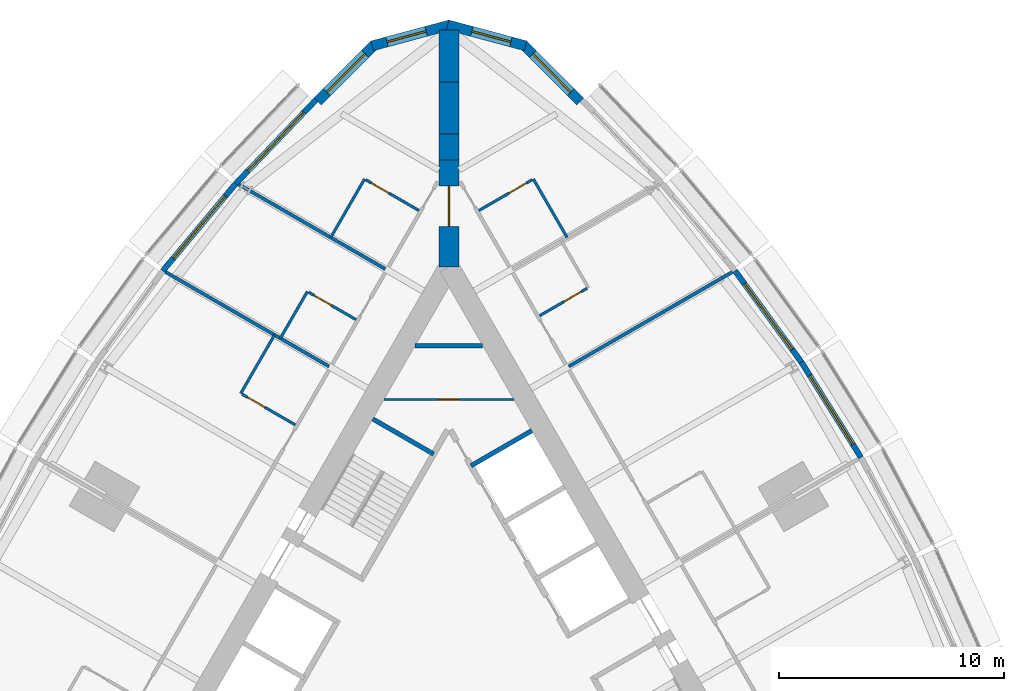
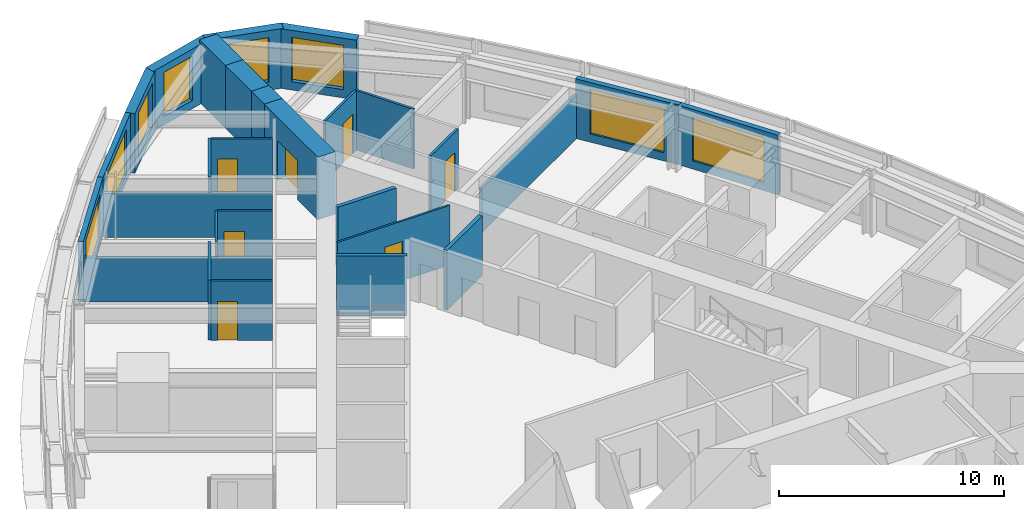
# One storey, part 12 of 14: 28 walls, 8 windows, 7 doors, 15 openings.
"""IFC4 building model written with IfcOpenShell, lengths in metres."""

from ifc_helpers import new_model, si_unit, direction, frame, frame_2d, origin, place, context, subcontext, project, spatial, polyline, rectangle, outline, extrude, material, layer, layer_set, type_object, element, fill, save


model = new_model("IFC4")

# Units and contexts
model_context = context("Model", 3, precision=1e-05, world=origin(), true_north=direction((0.0, 1.0)))
body_context = subcontext(model_context, "Body", "Model", "MODEL_VIEW")
ifc_project = project(units=[si_unit("LENGTHUNIT", "METRE"), si_unit("AREAUNIT", "SQUARE_METRE"), si_unit("VOLUMEUNIT", "CUBIC_METRE"), si_unit("PLANEANGLEUNIT", "RADIAN"), si_unit("MASSUNIT", "GRAM", prefix="KILO")], contexts=[model_context])

# Site, building, storey
site_placement = place(None, origin())
site = spatial("IfcSite", under=ifc_project, at=site_placement, CompositionType="ELEMENT")
building_placement = place(site_placement, origin())
building = spatial("IfcBuilding", under=site, at=building_placement, Name="Trikona Tower", CompositionType="ELEMENT")
storey_placement = place(building_placement, frame((0.0, 0.0, 158.89990234375)))
storey = spatial("IfcBuildingStorey", under=building, at=storey_placement, Name="L42", CompositionType="ELEMENT", Elevation=158.89990234375)

# Wall, opening, door
ifc_material_1 = material(Name="Metal stud and cement board", Category="gypsum")
ifc_layer_1 = layer(ifc_material_1, 0.1201171875)
ifc_layer_set_1 = layer_set([ifc_layer_1], Name="Bathroom wall 120")
wall_type_1 = type_object("IfcWallType", Name="Bathroom wall 120", PredefinedType="PLUMBINGWALL", material=ifc_layer_set_1)
wall_1_placement = place(storey_placement, frame((4.028564453125, 16.875, 0.0), z_axis=(0.0, 0.0, 1.0), x_axis=(0.865980627057, 0.500077547548, 0.0)))
wall_1 = element("IfcWall", 1, at=wall_1_placement, inside=storey, type_object=wall_type_1, Name="Bathroom wall 4208", PredefinedType="PLUMBINGWALL", context=body_context, shape_type="SweptSolid", body=[
    extrude(rectangle(XDim=2.43994140625, YDim=0.1201171875, at=frame_2d((1.219970703125, 0.0))), origin(), (0.0, 0.0, 1.0), 3.235107421875),
])
opening_1_placement = place(wall_1_placement, frame((1.25, 0.0, 0.0)))
opening_1 = element("IfcOpeningElement", 2, at=opening_1_placement, cuts=wall_1, Name="Opening D2", PredefinedType="OPENING", context=body_context, shape_type="SweptSolid", body=[
    extrude(rectangle(XDim=0.89990234375, YDim=2.1298828125, at=frame_2d((0.449951171875, 1.06494140625))), frame((0.0, 0.070068359375, 0.0), z_axis=(0.0, -1.0, 0.0), x_axis=(1.0, 0.0, 0.0)), (0.0, 0.0, 1.0), 0.14013671875),
])
ifc_material_2 = material(Name="Steel door frame with solid-core timber leaf", Category="steel")
door_type_1 = type_object("IfcDoorType", Name="Bathroom door 900x2130", OperationType="SLIDING_TO_LEFT", PredefinedType="DOOR", material=ifc_material_2)
door_1_placement = place(opening_1_placement, origin())
door_1 = element("IfcDoor", 3, at=door_1_placement, inside=storey, type_object=door_type_1, Name="Bathroom door 4208", OperationType="SLIDING_TO_LEFT", OverallHeight=2.1298828125, OverallWidth=0.89990234375, PredefinedType="DOOR", context=body_context, shape_type="SweptSolid", body=[
    extrude(rectangle(XDim=0.89990234375, YDim=2.1298828125, at=frame_2d((0.449951171875, 1.06494140625))), frame((0.0, 0.02490234375, 0.0), z_axis=(0.0, -1.0, 0.0), x_axis=(1.0, 0.0, 0.0)), (0.0, 0.0, 1.0), 0.050048828125),
])
fill(opening_1, door_1)

# Wall
wall_2_placement = place(storey_placement, frame((5.25341796875, 20.353515625, 0.0), z_axis=(0.0, 0.0, 1.0), x_axis=(-0.499990139034, 0.866031096941, 0.0)))
element("IfcWall", 4, at=wall_2_placement, inside=storey, type_object=wall_type_1, Name="Bathroom wall 4209", PredefinedType="PLUMBINGWALL", context=body_context, shape_type="SweptSolid", body=[
    extrude(rectangle(XDim=3.0, YDim=0.1201171875, at=frame_2d((1.5, 0.0))), origin(), (0.0, 0.0, 1.0), 3.235107421875),
])

# Wall, opening, door
wall_3_placement = place(storey_placement, frame((1.32861328125, 21.551513671875, 0.0), z_axis=(0.0, 0.0, 1.0), x_axis=(0.865997131366, 0.500048966069, 0.0)))
wall_3 = element("IfcWall", 5, at=wall_3_placement, inside=storey, type_object=wall_type_1, Name="Bathroom wall 4209", PredefinedType="PLUMBINGWALL", context=body_context, shape_type="SweptSolid", body=[
    extrude(rectangle(XDim=2.739990234375, YDim=0.1201171875, at=frame_2d((1.3701171875, 0.0))), origin(), (0.0, 0.0, 1.0), 3.235107421875),
])
opening_2_placement = place(wall_3_placement, frame((1.550048828125, 0.0, 0.0)))
opening_2 = element("IfcOpeningElement", 6, at=opening_2_placement, cuts=wall_3, Name="Opening D2", PredefinedType="OPENING", context=body_context, shape_type="SweptSolid", body=[
    extrude(rectangle(XDim=0.89990234375, YDim=2.1298828125, at=frame_2d((0.449951171875, 1.06494140625))), frame((0.0, 0.070068359375, 0.0), z_axis=(0.0, -1.0, 0.0), x_axis=(1.0, 0.0, 0.0)), (0.0, 0.0, 1.0), 0.14013671875),
])
door_2_placement = place(opening_2_placement, origin())
door_2 = element("IfcDoor", 7, at=door_2_placement, inside=storey, type_object=door_type_1, Name="Bathroom door 4209", OperationType="SLIDING_TO_LEFT", OverallHeight=2.1298828125, OverallWidth=0.89990234375, PredefinedType="DOOR", context=body_context, shape_type="SweptSolid", body=[
    extrude(rectangle(XDim=0.89990234375, YDim=2.1298828125, at=frame_2d((0.449951171875, 1.06494140625))), frame((0.0, 0.02490234375, 0.0), z_axis=(0.0, -1.0, 0.0), x_axis=(1.0, 0.0, 0.0)), (0.0, 0.0, 1.0), 0.050048828125),
])
fill(opening_2, door_2)

# Wall
wall_4_placement = place(storey_placement, frame((-3.75341796875, 22.95166015625, 0.0), z_axis=(0.0, 0.0, 1.0), x_axis=(-0.499990139034, -0.866031096941, 0.0)))
element("IfcWall", 8, at=wall_4_placement, inside=storey, type_object=wall_type_1, Name="Bathroom wall 4210", PredefinedType="PLUMBINGWALL", context=body_context, shape_type="SweptSolid", body=[
    extrude(rectangle(XDim=3.0, YDim=0.1201171875, at=frame_2d((1.5, 0.0))), origin(), (0.0, 0.0, 1.0), 3.235107421875),
])

# Wall, opening, door
wall_5_placement = place(storey_placement, frame((-1.32861328125, 21.551513671875, 0.0), z_axis=(0.0, 0.0, 1.0), x_axis=(-0.865997131366, 0.500048966069, 0.0)))
wall_5 = element("IfcWall", 9, at=wall_5_placement, inside=storey, type_object=wall_type_1, Name="Bathroom wall 4210", PredefinedType="PLUMBINGWALL", context=body_context, shape_type="SweptSolid", body=[
    extrude(rectangle(XDim=2.739990234375, YDim=0.1201171875, at=frame_2d((1.3701171875, 0.0))), origin(), (0.0, 0.0, 1.0), 3.235107421875),
])
opening_3_placement = place(wall_5_placement, frame((1.550048828125, 0.0, 0.0)))
opening_3 = element("IfcOpeningElement", 10, at=opening_3_placement, cuts=wall_5, Name="Opening D2", PredefinedType="OPENING", context=body_context, shape_type="SweptSolid", body=[
    extrude(rectangle(XDim=0.89990234375, YDim=2.1298828125, at=frame_2d((0.449951171875, 1.06494140625))), frame((0.0, 0.070068359375, 0.0), z_axis=(0.0, -1.0, 0.0), x_axis=(1.0, 0.0, 0.0)), (0.0, 0.0, 1.0), 0.14013671875),
])
door_3_placement = place(opening_3_placement, origin())
door_3 = element("IfcDoor", 11, at=door_3_placement, inside=storey, type_object=door_type_1, Name="Bathroom door 4210", OperationType="SLIDING_TO_LEFT", OverallHeight=2.1298828125, OverallWidth=0.89990234375, PredefinedType="DOOR", context=body_context, shape_type="SweptSolid", body=[
    extrude(rectangle(XDim=0.89990234375, YDim=2.1298828125, at=frame_2d((0.449951171875, 1.06494140625))), frame((0.0, 0.02490234375, 0.0), z_axis=(0.0, -1.0, 0.0), x_axis=(1.0, 0.0, 0.0)), (0.0, 0.0, 1.0), 0.050048828125),
])
fill(opening_3, door_3)

# Wall
wall_6_placement = place(storey_placement, frame((-6.29345703125, 17.951904296875, 0.0), z_axis=(0.0, 0.0, 1.0), x_axis=(-0.499957262057, -0.866050077142, 0.0)))
element("IfcWall", 12, at=wall_6_placement, inside=storey, type_object=wall_type_1, Name="Bathroom wall 4211", PredefinedType="PLUMBINGWALL", context=body_context, shape_type="SweptSolid", body=[
    extrude(rectangle(XDim=2.400146484375, YDim=0.1201171875, at=frame_2d((1.2001953125, 0.0))), origin(), (0.0, 0.0, 1.0), 3.235107421875),
])

# Wall, opening, door
wall_7_placement = place(storey_placement, frame((-4.12841796875, 16.701904296875, 0.0), z_axis=(0.0, 0.0, 1.0), x_axis=(-0.866048967903, 0.499959183527, 0.0)))
wall_7 = element("IfcWall", 13, at=wall_7_placement, inside=storey, type_object=wall_type_1, Name="Bathroom wall 4211", PredefinedType="PLUMBINGWALL", context=body_context, shape_type="SweptSolid", body=[
    extrude(rectangle(XDim=2.440185546875, YDim=0.1201171875, at=frame_2d((1.22021484375, 0.0))), origin(), (0.0, 0.0, 1.0), 3.235107421875),
])
opening_4_placement = place(wall_7_placement, frame((1.25, 0.0, 0.0)))
opening_4 = element("IfcOpeningElement", 14, at=opening_4_placement, cuts=wall_7, Name="Opening D2", PredefinedType="OPENING", context=body_context, shape_type="SweptSolid", body=[
    extrude(rectangle(XDim=0.89990234375, YDim=2.1298828125, at=frame_2d((0.449951171875, 1.06494140625))), frame((0.0, 0.070068359375, 0.0), z_axis=(0.0, -1.0, 0.0), x_axis=(1.0, 0.0, 0.0)), (0.0, 0.0, 1.0), 0.14013671875),
])
door_4_placement = place(opening_4_placement, origin())
door_4 = element("IfcDoor", 15, at=door_4_placement, inside=storey, type_object=door_type_1, Name="Bathroom door 4211", OperationType="SLIDING_TO_LEFT", OverallHeight=2.1298828125, OverallWidth=0.89990234375, PredefinedType="DOOR", context=body_context, shape_type="SweptSolid", body=[
    extrude(rectangle(XDim=0.89990234375, YDim=2.1298828125, at=frame_2d((0.449951171875, 1.06494140625))), frame((0.0, 0.02490234375, 0.0), z_axis=(0.0, -1.0, 0.0), x_axis=(1.0, 0.0, 0.0)), (0.0, 0.0, 1.0), 0.050048828125),
])
fill(opening_4, door_4)

# Wall
wall_8_placement = place(storey_placement, frame((-7.75341796875, 16.0234375, 0.0), z_axis=(0.0, 0.0, 1.0), x_axis=(-0.499990139034, -0.866031096941, 0.0)))
element("IfcWall", 16, at=wall_8_placement, inside=storey, type_object=wall_type_1, Name="Bathroom wall 4212", PredefinedType="PLUMBINGWALL", context=body_context, shape_type="SweptSolid", body=[
    extrude(rectangle(XDim=3.0, YDim=0.1201171875, at=frame_2d((1.5, 0.0))), origin(), (0.0, 0.0, 1.0), 3.235107421875),
])

# Wall, opening, door
wall_9_placement = place(storey_placement, frame((-6.82861328125, 12.025390625, 0.0), z_axis=(0.0, 0.0, 1.0), x_axis=(-0.866035715982, 0.499982138324, 0.0)))
wall_9 = element("IfcWall", 17, at=wall_9_placement, inside=storey, type_object=wall_type_1, Name="Bathroom wall 4212", PredefinedType="PLUMBINGWALL", context=body_context, shape_type="SweptSolid", body=[
    extrude(rectangle(XDim=2.73974609375, YDim=0.1201171875, at=frame_2d((1.369873046875, 0.0))), origin(), (0.0, 0.0, 1.0), 3.235107421875),
])
opening_5_placement = place(wall_9_placement, frame((1.550048828125, 0.0, 0.0)))
opening_5 = element("IfcOpeningElement", 18, at=opening_5_placement, cuts=wall_9, Name="Opening D2", PredefinedType="OPENING", context=body_context, shape_type="SweptSolid", body=[
    extrude(rectangle(XDim=0.89990234375, YDim=2.1298828125, at=frame_2d((0.449951171875, 1.06494140625))), frame((0.0, 0.070068359375, 0.0), z_axis=(0.0, -1.0, 0.0), x_axis=(1.0, 0.0, 0.0)), (0.0, 0.0, 1.0), 0.14013671875),
])
door_5_placement = place(opening_5_placement, origin())
door_5 = element("IfcDoor", 19, at=door_5_placement, inside=storey, type_object=door_type_1, Name="Bathroom door 4212", OperationType="SLIDING_TO_LEFT", OverallHeight=2.1298828125, OverallWidth=0.89990234375, PredefinedType="DOOR", context=body_context, shape_type="SweptSolid", body=[
    extrude(rectangle(XDim=0.89990234375, YDim=2.1298828125, at=frame_2d((0.449951171875, 1.06494140625))), frame((0.0, 0.02490234375, 0.0), z_axis=(0.0, -1.0, 0.0), x_axis=(1.0, 0.0, 0.0)), (0.0, 0.0, 1.0), 0.050048828125),
])
fill(opening_5, door_5)

# Wall, opening, window
ifc_material_3 = material(Name="Brick-faced precast concrete", Category="masonry")
ifc_layer_2 = layer(ifc_material_3, 0.449951171875)
ifc_layer_set_2 = layer_set([ifc_layer_2], Name="Brick-faced corner wall 450")
wall_type_2 = type_object("IfcWallType", Name="Brick-faced corner wall 450", PredefinedType="SOLIDWALL", material=ifc_layer_set_2)
wall_10_placement = place(storey_placement, frame((5.8408203125, 26.39892578125, 0.0), z_axis=(0.0, 0.0, 1.0), x_axis=(-0.707106781187, 0.707106781187, 0.0)))
wall_10 = element("IfcWall", 20, at=wall_10_placement, inside=storey, type_object=wall_type_2, Name="External wall L42-20", PredefinedType="SOLIDWALL", context=body_context, shape_type="SweptSolid", body=[
    extrude(rectangle(XDim=3.586181640625, YDim=0.449951171875, at=frame_2d((1.79296875, 0.0))), origin(), (0.0, 0.0, 1.0), 3.235107421875),
])
opening_6_placement = place(wall_10_placement, frame((0.59326171875, 0.0, 0.449951171875)))
opening_6 = element("IfcOpeningElement", 21, at=opening_6_placement, cuts=wall_10, Name="Opening W2424", PredefinedType="OPENING", context=body_context, shape_type="SweptSolid", body=[
    extrude(rectangle(XDim=2.39990234375, YDim=2.39990234375, at=frame_2d((1.199951171875, 1.199951171875))), frame((0.0, 0.23486328125, 0.0), z_axis=(0.0, -1.0, 0.0), x_axis=(1.0, 0.0, 0.0)), (0.0, 0.0, 1.0), 0.469970703125),
])
ifc_material_4 = material(Name="Aluminium-framed double glazing", Category="aluminium")
window_type_1 = type_object("IfcWindowType", Name="Window 2400x2400", PartitioningType="SINGLE_PANEL", PredefinedType="WINDOW", material=ifc_material_4)
window_1_placement = place(opening_6_placement, origin())
window_1 = element("IfcWindow", 22, at=window_1_placement, inside=storey, type_object=window_type_1, Name="Window 4209", OverallHeight=2.39990234375, OverallWidth=2.39990234375, PartitioningType="SINGLE_PANEL", PredefinedType="WINDOW", context=body_context, shape_type="SweptSolid", body=[
    extrude(rectangle(XDim=2.39990234375, YDim=2.39990234375, at=frame_2d((1.199951171875, 1.199951171875))), frame((0.0, 0.030029296875, 0.0), z_axis=(0.0, -1.0, 0.0), x_axis=(1.0, 0.0, 0.0)), (0.0, 0.0, 1.0), 0.06005859375),
])
fill(opening_6, window_1)

wall_11_placement = place(storey_placement, frame((3.406005859375, 28.876708984375, 0.0), z_axis=(0.0, 0.0, 1.0), x_axis=(-0.965924653531, 0.258823421857, 0.0)))
wall_11 = element("IfcWall", 23, at=wall_11_placement, inside=storey, type_object=wall_type_2, Name="External wall L42-21", PredefinedType="SOLIDWALL", context=body_context, shape_type="SweptSolid", body=[
    extrude(outline(polyline([(3.58642578125, 0.22509765625), (3.526611328125, 0.22509765625), (3.035400390625, 0.09326171875), (3.0, 0.22509765625), (0.0, 0.22509765625), (0.0, -0.22509765625), (3.58642578125, -0.22509765625), (3.58642578125, 0.22509765625)])), origin(), (0.0, 0.0, 1.0), 3.235107421875),
])
opening_7_placement = place(wall_11_placement, frame((0.6748046875, 0.0, 0.449951171875)))
opening_7 = element("IfcOpeningElement", 24, at=opening_7_placement, cuts=wall_11, Name="Opening W1824", PredefinedType="OPENING", context=body_context, shape_type="SweptSolid", body=[
    extrude(rectangle(XDim=1.800048828125, YDim=2.39990234375, at=frame_2d((0.89990234375, 1.199951171875))), frame((0.0, 0.23486328125, 0.0), z_axis=(0.0, -1.0, 0.0), x_axis=(1.0, 0.0, 0.0)), (0.0, 0.0, 1.0), 0.469970703125),
])
ifc_material_5 = material(Name="Aluminium-framed double glazing", Category="aluminium")
window_type_2 = type_object("IfcWindowType", Name="Window 1800x2400", PartitioningType="SINGLE_PANEL", PredefinedType="WINDOW", material=ifc_material_5)
window_2_placement = place(opening_7_placement, origin())
window_2 = element("IfcWindow", 25, at=window_2_placement, inside=storey, type_object=window_type_2, Name="Window 4209", OverallHeight=2.39990234375, OverallWidth=1.800048828125, PartitioningType="SINGLE_PANEL", PredefinedType="WINDOW", context=body_context, shape_type="SweptSolid", body=[
    extrude(rectangle(XDim=1.800048828125, YDim=2.39990234375, at=frame_2d((0.89990234375, 1.199951171875))), frame((0.0, 0.030029296875, 0.0), z_axis=(0.0, -1.0, 0.0), x_axis=(1.0, 0.0, 0.0)), (0.0, 0.0, 1.0), 0.06005859375),
])
fill(opening_7, window_2)

wall_12_placement = place(storey_placement, frame((0.05810546875, 29.804931640625, 0.0), z_axis=(0.0, 0.0, 1.0), x_axis=(-0.965924653531, -0.258823421857, 0.0)))
wall_12 = element("IfcWall", 26, at=wall_12_placement, inside=storey, type_object=wall_type_2, Name="External wall L42-22", PredefinedType="SOLIDWALL", context=body_context, shape_type="SweptSolid", body=[
    extrude(outline(polyline([(3.58642578125, 0.22509765625), (0.58642578125, 0.22509765625), (0.551025390625, 0.09326171875), (0.0595703125, 0.22509765625), (0.0, 0.22509765625), (0.0, -0.22509765625), (3.58642578125, -0.22509765625), (3.58642578125, 0.22509765625)])), origin(), (0.0, 0.0, 1.0), 3.235107421875),
])
opening_8_placement = place(wall_12_placement, frame((1.111328125, 0.0, 0.449951171875)))
opening_8 = element("IfcOpeningElement", 27, at=opening_8_placement, cuts=wall_12, Name="Opening W1824", PredefinedType="OPENING", context=body_context, shape_type="SweptSolid", body=[
    extrude(rectangle(XDim=1.800048828125, YDim=2.39990234375, at=frame_2d((0.89990234375, 1.199951171875))), frame((0.0, 0.23486328125, 0.0), z_axis=(0.0, -1.0, 0.0), x_axis=(1.0, 0.0, 0.0)), (0.0, 0.0, 1.0), 0.469970703125),
])
window_3_placement = place(opening_8_placement, origin())
window_3 = element("IfcWindow", 28, at=window_3_placement, inside=storey, type_object=window_type_2, Name="Window 4210", OverallHeight=2.39990234375, OverallWidth=1.800048828125, PartitioningType="SINGLE_PANEL", PredefinedType="WINDOW", context=body_context, shape_type="SweptSolid", body=[
    extrude(rectangle(XDim=1.800048828125, YDim=2.39990234375, at=frame_2d((0.89990234375, 1.199951171875))), frame((0.0, 0.030029296875, 0.0), z_axis=(0.0, -1.0, 0.0), x_axis=(1.0, 0.0, 0.0)), (0.0, 0.0, 1.0), 0.06005859375),
])
fill(opening_8, window_3)

wall_13_placement = place(storey_placement, frame((-3.304931640625, 28.934814453125, 0.0), z_axis=(0.0, 0.0, 1.0), x_axis=(-0.707106781187, -0.707106781187, 0.0)))
wall_13 = element("IfcWall", 29, at=wall_13_placement, inside=storey, type_object=wall_type_2, Name="External wall L42-23", PredefinedType="SOLIDWALL", context=body_context, shape_type="SweptSolid", body=[
    extrude(rectangle(XDim=3.586181640625, YDim=0.449951171875, at=frame_2d((1.79296875, 0.0))), origin(), (0.0, 0.0, 1.0), 3.235107421875),
])
opening_9_placement = place(wall_13_placement, frame((0.59326171875, 0.0, 0.449951171875)))
opening_9 = element("IfcOpeningElement", 30, at=opening_9_placement, cuts=wall_13, Name="Opening W2424", PredefinedType="OPENING", context=body_context, shape_type="SweptSolid", body=[
    extrude(rectangle(XDim=2.39990234375, YDim=2.39990234375, at=frame_2d((1.199951171875, 1.199951171875))), frame((0.0, 0.23486328125, 0.0), z_axis=(0.0, -1.0, 0.0), x_axis=(1.0, 0.0, 0.0)), (0.0, 0.0, 1.0), 0.469970703125),
])
window_4_placement = place(opening_9_placement, origin())
window_4 = element("IfcWindow", 31, at=window_4_placement, inside=storey, type_object=window_type_1, Name="Window 4210", OverallHeight=2.39990234375, OverallWidth=2.39990234375, PartitioningType="SINGLE_PANEL", PredefinedType="WINDOW", context=body_context, shape_type="SweptSolid", body=[
    extrude(rectangle(XDim=2.39990234375, YDim=2.39990234375, at=frame_2d((1.199951171875, 1.199951171875))), frame((0.0, 0.030029296875, 0.0), z_axis=(0.0, -1.0, 0.0), x_axis=(1.0, 0.0, 0.0)), (0.0, 0.0, 1.0), 0.06005859375),
])
fill(opening_9, window_4)

# Wall, opening, door
ifc_material_6 = material(Name="Concrete f'c 10000 psi", Category="concrete")
ifc_layer_3 = layer(ifc_material_6, 0.89990234375)
ifc_layer_set_3 = layer_set([ifc_layer_3], Name="Buttress wall 900")
wall_type_3 = type_object("IfcWallType", Name="Buttress wall 900", PredefinedType="SHEAR", material=ifc_layer_set_3)
wall_14_placement = place(storey_placement, frame((0.0, 19.052490234375, 0.0), z_axis=(0.0, 0.0, 1.0), x_axis=(0.0, 1.0, 0.0)))
wall_14 = element("IfcWall", 32, at=wall_14_placement, inside=storey, type_object=wall_type_3, Name="Buttress wall 2", PredefinedType="SHEAR", context=body_context, shape_type="SweptSolid", body=[
    extrude(rectangle(XDim=4.74609375, YDim=0.89990234375, at=frame_2d((2.373046875, 0.0))), origin(), (0.0, 0.0, 1.0), 3.400146484375),
])
opening_10_placement = place(wall_14_placement, frame((1.800048828125, 0.0, 0.0)))
opening_10 = element("IfcOpeningElement", 33, at=opening_10_placement, cuts=wall_14, Name="Opening D10", PredefinedType="OPENING", context=body_context, shape_type="SweptSolid", body=[
    extrude(rectangle(XDim=1.800048828125, YDim=2.1298828125, at=frame_2d((0.89990234375, 1.06494140625))), frame((0.0, 0.4599609375, 0.0), z_axis=(0.0, -1.0, 0.0), x_axis=(1.0, 0.0, 0.0)), (0.0, 0.0, 1.0), 0.919921875),
])
ifc_material_7 = material(Name="Hollow metal door and frame", Category="steel")
door_type_2 = type_object("IfcDoorType", Name="Cross-corridor door pair 1800x2130", OperationType="DOUBLE_DOOR_DOUBLE_SWING", PredefinedType="DOOR", material=ifc_material_7)
door_6_placement = place(opening_10_placement, origin())
door_6 = element("IfcDoor", 34, at=door_6_placement, inside=storey, type_object=door_type_2, Name="Cross-corridor door 2", OperationType="DOUBLE_DOOR_DOUBLE_SWING", OverallHeight=2.1298828125, OverallWidth=1.800048828125, PredefinedType="DOOR", context=body_context, shape_type="SweptSolid", body=[
    extrude(rectangle(XDim=1.800048828125, YDim=2.1298828125, at=frame_2d((0.89990234375, 1.06494140625))), frame((0.0, 0.02490234375, 0.0), z_axis=(0.0, -1.0, 0.0), x_axis=(1.0, 0.0, 0.0)), (0.0, 0.0, 1.0), 0.050048828125),
])
fill(opening_10, door_6)

# Walls
wall_15_placement = place(storey_placement, frame((0.0, 23.798583984375, 0.0), z_axis=(0.0, 0.0, 1.0), x_axis=(0.0, 1.0, 0.0)))
element("IfcWall", 35, at=wall_15_placement, inside=storey, type_object=wall_type_3, Name="Buttress wall 2 part 2", PredefinedType="SHEAR", context=body_context, shape_type="SweptSolid", body=[
    extrude(rectangle(XDim=1.15478515625, YDim=0.89990234375, at=frame_2d((0.577392578125, 0.0))), origin(), (0.0, 0.0, 1.0), 3.400146484375),
])
wall_16_placement = place(storey_placement, frame((0.0, 24.953369140625, 0.0), z_axis=(0.0, 0.0, 1.0), x_axis=(0.0, 1.0, 0.0)))
element("IfcWall", 36, at=wall_16_placement, inside=storey, type_object=wall_type_3, Name="Buttress wall 2 part 3", PredefinedType="SHEAR", context=body_context, shape_type="SweptSolid", body=[
    extrude(rectangle(XDim=2.309326171875, YDim=0.89990234375, at=frame_2d((1.15478515625, 0.0))), origin(), (0.0, 0.0, 1.0), 3.400146484375),
])
wall_17_placement = place(storey_placement, frame((0.0, 27.2626953125, 0.0), z_axis=(0.0, 0.0, 1.0), x_axis=(0.0, 1.0, 0.0)))
element("IfcWall", 37, at=wall_17_placement, inside=storey, type_object=wall_type_3, Name="Buttress wall 2 part 4", PredefinedType="SHEAR", context=body_context, shape_type="SweptSolid", body=[
    extrude(rectangle(XDim=2.3095703125, YDim=0.89990234375, at=frame_2d((1.15478515625, 0.0))), origin(), (0.0, 0.0, 1.0), 3.400146484375),
])

# Wall, opening, window
ifc_material_8 = material(Name="Insulated precast concrete spandrel panel", Category="concrete")
ifc_layer_4 = layer(ifc_material_8, 0.25)
ifc_layer_set_4 = layer_set([ifc_layer_4], Name="Inner skin wall 250")
wall_type_4 = type_object("IfcWallType", Name="Inner skin wall 250", PredefinedType="STANDARD", material=ifc_layer_set_4)
wall_18_placement = place(storey_placement, frame((18.31884765625, 10.5712890625, 0.0), z_axis=(0.0, 0.0, 1.0), x_axis=(-0.529990167382, 0.84800378683, 0.0)))
wall_18 = element("IfcWall", 38, at=wall_18_placement, inside=storey, type_object=wall_type_4, Name="External wall L42-16", PredefinedType="STANDARD", context=body_context, shape_type="SweptSolid", body=[
    extrude(rectangle(XDim=5.003173828125, YDim=0.25, at=frame_2d((2.50146484375, 0.0))), origin(), (0.0, 0.0, 1.0), 3.235107421875),
])
opening_11_placement = place(wall_18_placement, frame((0.701416015625, 0.0, 0.449951171875)))
opening_11 = element("IfcOpeningElement", 39, at=opening_11_placement, cuts=wall_18, Name="Opening W3624", PredefinedType="OPENING", context=body_context, shape_type="SweptSolid", body=[
    extrude(rectangle(XDim=3.60009765625, YDim=2.39990234375, at=frame_2d((1.800048828125, 1.199951171875))), frame((0.0, 0.135009765625, 0.0), z_axis=(0.0, -1.0, 0.0), x_axis=(1.0, 0.0, 0.0)), (0.0, 0.0, 1.0), 0.27001953125),
])
ifc_material_9 = material(Name="Aluminium-framed double glazing", Category="aluminium")
window_type_3 = type_object("IfcWindowType", Name="Window 3600x2400", PartitioningType="SINGLE_PANEL", PredefinedType="WINDOW", material=ifc_material_9)
window_5_placement = place(opening_11_placement, origin())
window_5 = element("IfcWindow", 40, at=window_5_placement, inside=storey, type_object=window_type_3, Name="Window 4207", OverallHeight=2.39990234375, OverallWidth=3.60009765625, PartitioningType="SINGLE_PANEL", PredefinedType="WINDOW", context=body_context, shape_type="SweptSolid", body=[
    extrude(rectangle(XDim=3.60009765625, YDim=2.39990234375, at=frame_2d((1.800048828125, 1.199951171875))), frame((0.0, 0.030029296875, 0.0), z_axis=(0.0, -1.0, 0.0), x_axis=(1.0, 0.0, 0.0)), (0.0, 0.0, 1.0), 0.06005859375),
])
fill(opening_11, window_5)

wall_19_placement = place(storey_placement, frame((15.672119140625, 14.806640625, 0.0), z_axis=(0.0, 0.0, 1.0), x_axis=(-0.587669188412, 0.809101307001, 0.0)))
wall_19 = element("IfcWall", 41, at=wall_19_placement, inside=storey, type_object=wall_type_4, Name="External wall L42-17", PredefinedType="STANDARD", context=body_context, shape_type="SweptSolid", body=[
    extrude(rectangle(XDim=5.027587890625, YDim=0.25, at=frame_2d((2.513671875, 0.0))), origin(), (0.0, 0.0, 1.0), 3.235107421875),
])
opening_12_placement = place(wall_19_placement, frame((0.7138671875, 0.0, 0.449951171875)))
opening_12 = element("IfcOpeningElement", 42, at=opening_12_placement, cuts=wall_19, Name="Opening W3624", PredefinedType="OPENING", context=body_context, shape_type="SweptSolid", body=[
    extrude(rectangle(XDim=3.60009765625, YDim=2.39990234375, at=frame_2d((1.800048828125, 1.199951171875))), frame((0.0, 0.135009765625, 0.0), z_axis=(0.0, -1.0, 0.0), x_axis=(1.0, 0.0, 0.0)), (0.0, 0.0, 1.0), 0.27001953125),
])
window_6_placement = place(opening_12_placement, origin())
window_6 = element("IfcWindow", 43, at=window_6_placement, inside=storey, type_object=window_type_3, Name="Window 4207", OverallHeight=2.39990234375, OverallWidth=3.60009765625, PartitioningType="SINGLE_PANEL", PredefinedType="WINDOW", context=body_context, shape_type="SweptSolid", body=[
    extrude(rectangle(XDim=3.60009765625, YDim=2.39990234375, at=frame_2d((1.800048828125, 1.199951171875))), frame((0.0, 0.030029296875, 0.0), z_axis=(0.0, -1.0, 0.0), x_axis=(1.0, 0.0, 0.0)), (0.0, 0.0, 1.0), 0.06005859375),
])
fill(opening_12, window_6)

wall_20_placement = place(storey_placement, frame((-5.90966796875, 26.4716796875, 0.0), z_axis=(0.0, 0.0, 1.0), x_axis=(-0.691719937936, -0.722165858693, 0.0)))
wall_20 = element("IfcWall", 44, at=wall_20_placement, inside=storey, type_object=wall_type_4, Name="External wall L42-24", PredefinedType="STANDARD", context=body_context, shape_type="SweptSolid", body=[
    extrude(rectangle(XDim=5.148193359375, YDim=0.25, at=frame_2d((2.57421875, 0.0))), origin(), (0.0, 0.0, 1.0), 3.235107421875),
])
opening_13_placement = place(wall_20_placement, frame((0.77392578125, 0.0, 0.449951171875)))
opening_13 = element("IfcOpeningElement", 45, at=opening_13_placement, cuts=wall_20, Name="Opening W3624", PredefinedType="OPENING", context=body_context, shape_type="SweptSolid", body=[
    extrude(rectangle(XDim=3.60009765625, YDim=2.39990234375, at=frame_2d((1.800048828125, 1.199951171875))), frame((0.0, 0.135009765625, 0.0), z_axis=(0.0, -1.0, 0.0), x_axis=(1.0, 0.0, 0.0)), (0.0, 0.0, 1.0), 0.27001953125),
])
window_7_placement = place(opening_13_placement, origin())
window_7 = element("IfcWindow", 46, at=window_7_placement, inside=storey, type_object=window_type_3, Name="Window 4210", OverallHeight=2.39990234375, OverallWidth=3.60009765625, PartitioningType="SINGLE_PANEL", PredefinedType="WINDOW", context=body_context, shape_type="SweptSolid", body=[
    extrude(rectangle(XDim=3.60009765625, YDim=2.39990234375, at=frame_2d((1.800048828125, 1.199951171875))), frame((0.0, 0.030029296875, 0.0), z_axis=(0.0, -1.0, 0.0), x_axis=(1.0, 0.0, 0.0)), (0.0, 0.0, 1.0), 0.06005859375),
])
fill(opening_13, window_7)

wall_21_placement = place(storey_placement, frame((-9.465087890625, 22.76025390625, 0.0), z_axis=(0.0, 0.0, 1.0), x_axis=(-0.641810386606, -0.766863369607, 0.0)))
wall_21 = element("IfcWall", 47, at=wall_21_placement, inside=storey, type_object=wall_type_4, Name="External wall L42-25", PredefinedType="STANDARD", context=body_context, shape_type="SweptSolid", body=[
    extrude(rectangle(XDim=5.075927734375, YDim=0.25, at=frame_2d((2.5380859375, 0.0))), origin(), (0.0, 0.0, 1.0), 3.235107421875),
])
opening_14_placement = place(wall_21_placement, frame((0.738037109375, 0.0, 0.449951171875)))
opening_14 = element("IfcOpeningElement", 48, at=opening_14_placement, cuts=wall_21, Name="Opening W3624", PredefinedType="OPENING", context=body_context, shape_type="SweptSolid", body=[
    extrude(rectangle(XDim=3.60009765625, YDim=2.39990234375, at=frame_2d((1.800048828125, 1.199951171875))), frame((0.0, 0.135009765625, 0.0), z_axis=(0.0, -1.0, 0.0), x_axis=(1.0, 0.0, 0.0)), (0.0, 0.0, 1.0), 0.27001953125),
])
window_8_placement = place(opening_14_placement, origin())
window_8 = element("IfcWindow", 49, at=window_8_placement, inside=storey, type_object=window_type_3, Name="Window 4211", OverallHeight=2.39990234375, OverallWidth=3.60009765625, PartitioningType="SINGLE_PANEL", PredefinedType="WINDOW", context=body_context, shape_type="SweptSolid", body=[
    extrude(rectangle(XDim=3.60009765625, YDim=2.39990234375, at=frame_2d((1.800048828125, 1.199951171875))), frame((0.0, 0.030029296875, 0.0), z_axis=(0.0, -1.0, 0.0), x_axis=(1.0, 0.0, 0.0)), (0.0, 0.0, 1.0), 0.06005859375),
])
fill(opening_14, window_8)

# Walls
ifc_material_10 = material(Name="Metal stud and gypsum board, 1-hour acoustic", Category="gypsum")
ifc_layer_5 = layer(ifc_material_10, 0.14990234375)
ifc_layer_set_5 = layer_set([ifc_layer_5], Name="Party wall 150")
wall_type_5 = type_object("IfcWallType", Name="Party wall 150", PredefinedType="PARTITIONING", material=ifc_layer_set_5)
wall_22_placement = place(storey_placement, frame((5.32861328125, 14.623291015625, 0.0), z_axis=(0.0, 0.0, 1.0), x_axis=(0.866011723728, 0.500023693804, 0.0)))
element("IfcWall", 50, at=wall_22_placement, inside=storey, type_object=wall_type_5, Name="Partition L42 F2 u10", PredefinedType="PARTITIONING", context=body_context, shape_type="SweptSolid", body=[
    extrude(rectangle(XDim=8.39501953125, YDim=0.14990234375, at=frame_2d((4.197509765625, 0.0))), origin(), (0.0, 0.0, 1.0), 2.389404296875),
])
wall_23_placement = place(storey_placement, frame((-2.82861328125, 18.95361328125, 0.0), z_axis=(0.0, 0.0, 1.0), x_axis=(-0.866015739374, 0.500016738876, 0.0)))
element("IfcWall", 51, at=wall_23_placement, inside=storey, type_object=wall_type_5, Name="Partition L42 F3 u-15", PredefinedType="PARTITIONING", context=body_context, shape_type="SweptSolid", body=[
    extrude(rectangle(XDim=7.516357421875, YDim=0.14990234375, at=frame_2d((3.75830078125, 0.0))), origin(), (0.0, 0.0, 1.0), 2.389404296875),
])
wall_24_placement = place(storey_placement, frame((-5.32861328125, 14.623291015625, 0.0), z_axis=(0.0, 0.0, 1.0), x_axis=(-0.866011723728, 0.500023693804, 0.0)))
element("IfcWall", 52, at=wall_24_placement, inside=storey, type_object=wall_type_5, Name="Partition L42 F3 u-10", PredefinedType="PARTITIONING", context=body_context, shape_type="SweptSolid", body=[
    extrude(rectangle(XDim=8.39501953125, YDim=0.14990234375, at=frame_2d((4.197509765625, 0.0))), origin(), (0.0, 0.0, 1.0), 2.389404296875),
])
ifc_material_11 = material(Name="Concrete f'c 8000 psi", Category="concrete")
ifc_layer_6 = layer(ifc_material_11, 0.199951171875)
ifc_layer_set_6 = layer_set([ifc_layer_6], Name="Shaft wall 200")
wall_type_6 = type_object("IfcWallType", Name="Shaft wall 200", PredefinedType="SOLIDWALL", material=ifc_layer_set_6)
wall_25_placement = place(storey_placement, frame((0.97900390625, 10.20703125, 0.0), z_axis=(0.0, 0.0, 1.0), x_axis=(0.866022959057, 0.500004234368, 0.0)))
element("IfcWall", 53, at=wall_25_placement, inside=storey, type_object=wall_type_6, Name="Shaft wall B6", PredefinedType="SOLIDWALL", context=body_context, shape_type="SweptSolid", body=[
    extrude(rectangle(XDim=3.125, YDim=0.199951171875, at=frame_2d((1.5625, 0.0))), origin(), (0.0, 0.0, 1.0), 3.235107421875),
])
wall_26_placement = place(storey_placement, frame((-1.501220703125, 15.552490234375, 0.0), z_axis=(0.0, 0.0, 1.0), x_axis=(1.0, 0.0, 0.0)))
element("IfcWall", 54, at=wall_26_placement, inside=storey, type_object=wall_type_6, Name="Riser wall L42-RS2", PredefinedType="SOLIDWALL", context=body_context, shape_type="SweptSolid", body=[
    extrude(rectangle(XDim=3.00244140625, YDim=0.199951171875, at=frame_2d((1.501220703125, 0.0))), origin(), (0.0, 0.0, 1.0), 3.235107421875),
])
ifc_material_12 = material(Name="Concrete f'c 8000 psi", Category="concrete")
ifc_layer_7 = layer(ifc_material_12, 0.199951171875)
ifc_layer_set_7 = layer_set([ifc_layer_7], Name="Shaft wall 200 load-bearing")
wall_type_7 = type_object("IfcWallType", Name="Shaft wall 200 load-bearing", PredefinedType="SOLIDWALL", material=ifc_layer_set_7)
wall_27_placement = place(storey_placement, frame((-0.678955078125, 10.7265625, 0.0), z_axis=(0.0, 0.0, 1.0), x_axis=(-0.866022959057, 0.500004234368, 0.0)))
element("IfcWall", 55, at=wall_27_placement, inside=storey, type_object=wall_type_7, Name="Shaft wall C1", PredefinedType="SOLIDWALL", context=body_context, shape_type="SweptSolid", body=[
    extrude(rectangle(XDim=3.125, YDim=0.199951171875, at=frame_2d((1.5625, 0.0))), origin(), (0.0, 0.0, 1.0), 3.235107421875),
])

# Wall, opening, door
ifc_material_13 = material(Name="Metal stud and gypsum board, acoustic", Category="gypsum")
ifc_layer_8 = layer(ifc_material_13, 0.10009765625)
ifc_layer_set_8 = layer_set([ifc_layer_8], Name="Suite partition 100")
wall_type_8 = type_object("IfcWallType", Name="Suite partition 100", PredefinedType="PARTITIONING", material=ifc_layer_set_8)
wall_28_placement = place(storey_placement, frame((-2.88671875, 13.152587890625, 0.0), z_axis=(0.0, 0.0, 1.0), x_axis=(1.0, 0.0, 0.0)))
wall_28 = element("IfcWall", 56, at=wall_28_placement, inside=storey, type_object=wall_type_8, Name="Store partition L42-RS2", PredefinedType="PARTITIONING", context=body_context, shape_type="SweptSolid", body=[
    extrude(rectangle(XDim=5.7734375, YDim=0.10009765625, at=frame_2d((2.88671875, 0.0))), origin(), (0.0, 0.0, 1.0), 3.235107421875),
])
opening_15_placement = place(wall_28_placement, frame((2.436767578125, 0.0, 0.0)))
opening_15 = element("IfcOpeningElement", 57, at=opening_15_placement, cuts=wall_28, Name="Opening D15", PredefinedType="OPENING", context=body_context, shape_type="SweptSolid", body=[
    extrude(rectangle(XDim=0.89990234375, YDim=2.1298828125, at=frame_2d((0.449951171875, 1.06494140625))), frame((0.0, 0.06005859375, 0.0), z_axis=(0.0, -1.0, 0.0), x_axis=(1.0, 0.0, 0.0)), (0.0, 0.0, 1.0), 0.1201171875),
])
ifc_material_14 = material(Name="Steel door frame with solid-core timber leaf", Category="steel")
door_type_3 = type_object("IfcDoorType", Name="Store door 900x2130", OperationType="SINGLE_SWING_LEFT", PredefinedType="DOOR", material=ifc_material_14)
door_7_placement = place(opening_15_placement, origin())
door_7 = element("IfcDoor", 58, at=door_7_placement, inside=storey, type_object=door_type_3, Name="Door Cleaner's store CLN", OperationType="SINGLE_SWING_RIGHT", OverallHeight=2.1298828125, OverallWidth=0.89990234375, PredefinedType="DOOR", context=body_context, shape_type="SweptSolid", body=[
    extrude(rectangle(XDim=0.89990234375, YDim=2.1298828125, at=frame_2d((0.449951171875, 1.06494140625))), frame((0.0, 0.02490234375, 0.0), z_axis=(0.0, -1.0, 0.0), x_axis=(1.0, 0.0, 0.0)), (0.0, 0.0, 1.0), 0.050048828125),
])
fill(opening_15, door_7)

save(model, "model.ifc")
